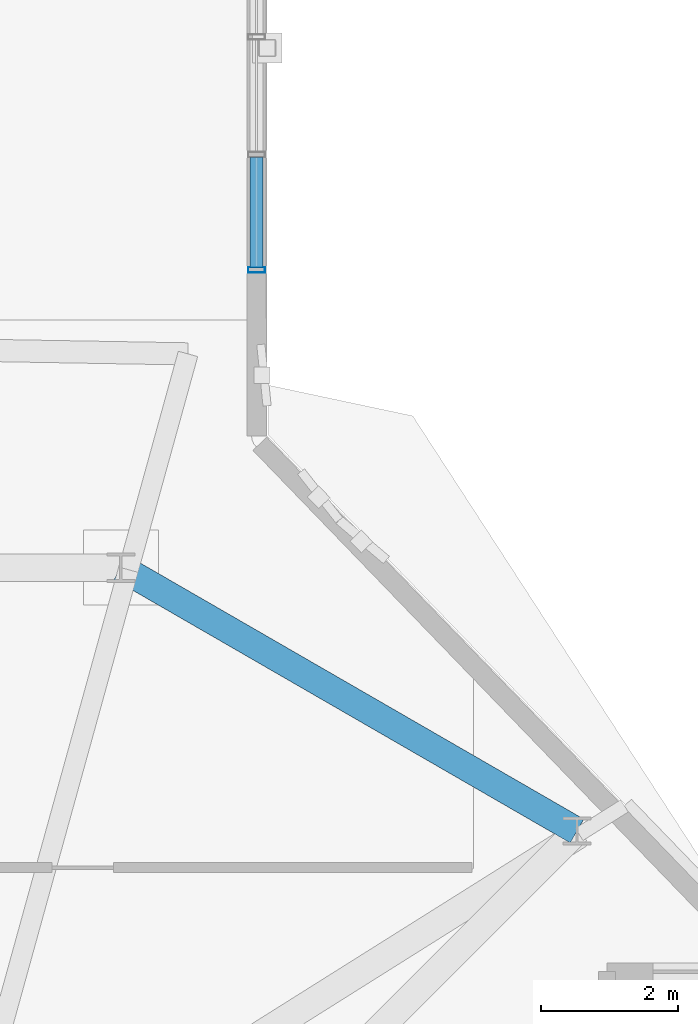
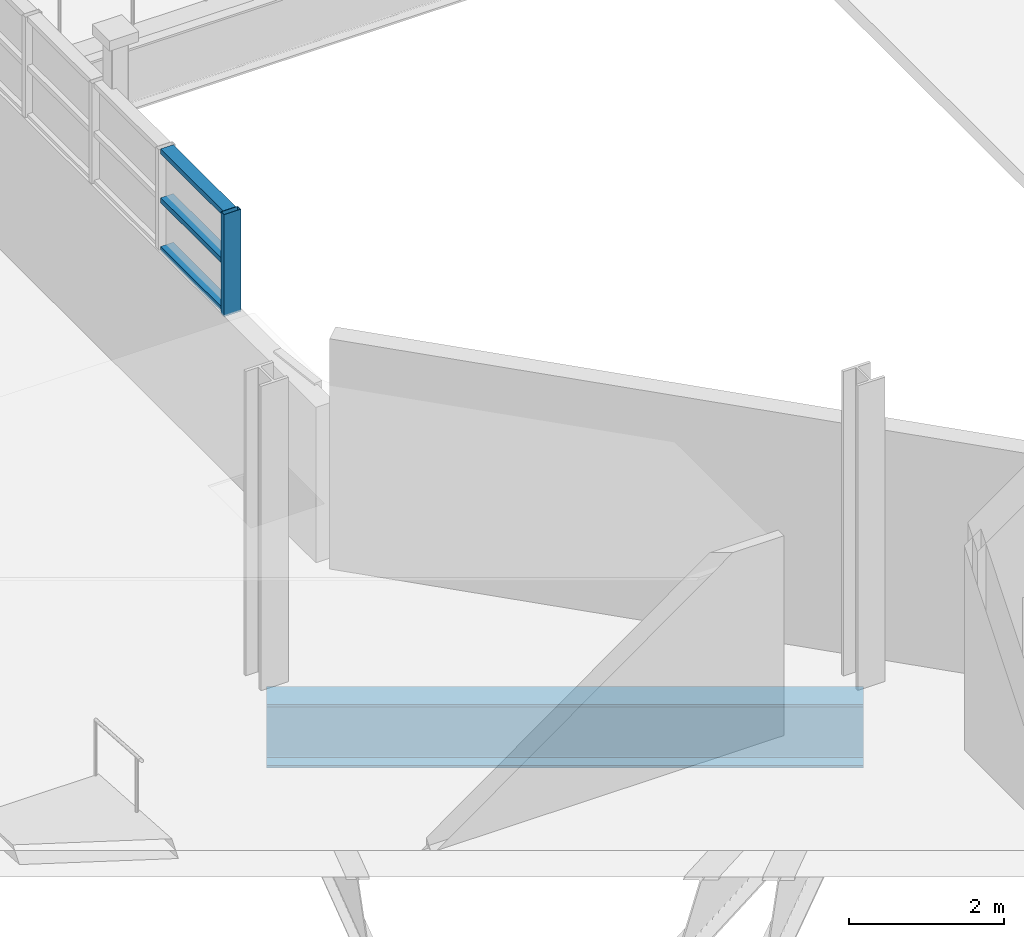
# One storey, part 34 of 85: 4 members, 1 beam, 1 element without a shape of its own.
"""IFC4 building model written with IfcOpenShell, lengths in metres."""

from ifc_helpers import new_model, si_unit, direction, frame, origin, origin_2d, place, context, subcontext, project, spatial, hollow_rectangle, i_section, extrude, material, layer, layer_set, material_profile, profile_set, type_object, element, aggregate, save


model = new_model("IFC4")

# Units and contexts
model_context = context("Model", 3, precision=1e-05, world=origin(), true_north=direction((0.0, 1.0)))
body_context = subcontext(model_context, "Body", "Model", "MODEL_VIEW")
ifc_project = project(units=[si_unit("LENGTHUNIT", "METRE"), si_unit("AREAUNIT", "SQUARE_METRE"), si_unit("VOLUMEUNIT", "CUBIC_METRE"), si_unit("PLANEANGLEUNIT", "RADIAN"), si_unit("MASSUNIT", "GRAM", prefix="KILO"), si_unit("THERMODYNAMICTEMPERATUREUNIT", "KELVIN"), si_unit("POWERUNIT", "WATT")], contexts=[model_context])

# Site, building, storey
site_placement = place(None, origin())
site = spatial("IfcSite", under=ifc_project, at=site_placement, CompositionType="ELEMENT")
building_placement = place(site_placement, origin())
building = spatial("IfcBuilding", under=site, at=building_placement, Name="Zelmaris Science Centre", CompositionType="ELEMENT")
storey_placement = place(building_placement, frame((0.0, 0.0, 20.39990234375)))
storey = spatial("IfcBuildingStorey", under=building, at=storey_placement, Name="L04", CompositionType="ELEMENT", Elevation=20.39990234375)

# Curtain wall, members
ifc_material_1 = material(Name="Anodised architectural aluminium 6063-T6", Category="aluminium")
ifc_layer = layer(ifc_material_1, 0.18994140625, Name="Anodised architectural aluminium 6063-T6")
ifc_layer_set = layer_set([ifc_layer], Name="Anodised architectural aluminium 6063-T6")
curtain_wall_type = type_object("IfcCurtainWallType", Name="Curtain Wall CW-01", PredefinedType="USERDEFINED", material=ifc_layer_set)
curtain_wall_placement = place(storey_placement, origin())
curtain_wall = element("IfcCurtainWall", 1, at=curtain_wall_placement, inside=storey, type_object=curtain_wall_type, Name="L04 Clerestory curtain wall 349", ObjectType="GLAZED CURTAIN WALL", PredefinedType="USERDEFINED")
ifc_material_profile_1 = material_profile(ifc_material_1, hollow_rectangle(XDim=0.080078125, YDim=0.25, WallThickness=0.0048828125, at=origin_2d()), Name="ALU-MUL-80X250")
ifc_profile_set_1 = profile_set([ifc_material_profile_1], Name="Anodised architectural aluminium 6063-T6")
member_type_1 = type_object("IfcMemberType", Name="ALU-MUL-80X250", PredefinedType="MULLION", material=ifc_profile_set_1)
member_1_placement = place(storey_placement, frame((86.84521484375, 54.75244140625, 2.420166015625), z_axis=(0.0, 0.0, 1.0), x_axis=(0.000586430595, -0.99999982805, 0.0)))
member_1 = element("IfcMember", 2, at=member_1_placement, type_object=member_type_1, Name="CW-01 mullion 5", PredefinedType="MULLION", context=body_context, shape_type="SweptSolid", body=[
    extrude(hollow_rectangle(XDim=0.080078125, YDim=0.25, WallThickness=0.0048828125, at=origin_2d()), origin(), (0.0, 0.0, 1.0), 1.60986328125),
])
ifc_material_profile_2 = material_profile(ifc_material_1, hollow_rectangle(XDim=0.080078125, YDim=0.18994140625, WallThickness=0.00439453125, at=origin_2d()), Name="ALU-TRN-80X190")
ifc_profile_set_2 = profile_set([ifc_material_profile_2], Name="Anodised architectural aluminium 6063-T6")
member_type_2 = type_object("IfcMemberType", Name="ALU-TRN-80X190", PredefinedType="USERDEFINED", material=ifc_profile_set_2)
member_2_placement = place(storey_placement, frame((86.84423828125, 56.40234375, 2.4560546875), z_axis=(0.000605143611, -0.999999816901, 0.0), x_axis=(0.0, 0.0, 1.0)))
member_2 = element("IfcMember", 3, at=member_2_placement, type_object=member_type_2, Name="CW-01 transom 4.1", ObjectType="TRANSOM", PredefinedType="USERDEFINED", context=body_context, shape_type="SweptSolid", body=[
    extrude(hollow_rectangle(XDim=0.080078125, YDim=0.18994140625, WallThickness=0.00439453125, at=origin_2d()), origin(), (0.0, 0.0, 1.0), 1.61376953125),
])
member_3_placement = place(storey_placement, frame((86.84423828125, 56.40234375, 3.22509765625), z_axis=(0.000605143611, -0.999999816901, 0.0), x_axis=(0.0, 0.0, 1.0)))
member_3 = element("IfcMember", 4, at=member_3_placement, type_object=member_type_2, Name="CW-01 transom 4.2", ObjectType="TRANSOM", PredefinedType="USERDEFINED", context=body_context, shape_type="SweptSolid", body=[
    extrude(hollow_rectangle(XDim=0.080078125, YDim=0.18994140625, WallThickness=0.00439453125, at=origin_2d()), origin(), (0.0, 0.0, 1.0), 1.61376953125),
])
member_4_placement = place(storey_placement, frame((86.84423828125, 56.40234375, 3.994140625), z_axis=(0.000605143611, -0.999999816901, 0.0), x_axis=(0.0, 0.0, 1.0)))
member_4 = element("IfcMember", 5, at=member_4_placement, type_object=member_type_2, Name="CW-01 transom 4.3", ObjectType="TRANSOM", PredefinedType="USERDEFINED", context=body_context, shape_type="SweptSolid", body=[
    extrude(hollow_rectangle(XDim=0.080078125, YDim=0.18994140625, WallThickness=0.00439453125, at=origin_2d()), origin(), (0.0, 0.0, 1.0), 1.61376953125),
])
aggregate(curtain_wall, [member_1, member_2, member_3, member_4])

# Beam
ifc_material_2 = material(Name="Steel ASTM A992 Grade 50", Category="steel")
ifc_material_profile_3 = material_profile(ifc_material_2, i_section(OverallWidth=0.40087890625, OverallDepth=1.0009765625, WebThickness=0.01904296875, FlangeThickness=0.0361328125, FilletRadius=0.02490234375, at=origin_2d()), Name="W40X249")
ifc_profile_set_3 = profile_set([ifc_material_profile_3], Name="Steel ASTM A992 Grade 50")
beam_type = type_object("IfcBeamType", Name="Beam G-22 W40X249", PredefinedType="BEAM", material=ifc_profile_set_3)
beam_placement = place(storey_placement, frame((91.535888671875, 46.535888671875, -0.780517578125), z_axis=(-0.866021648359, 0.500006504531, 0.0), x_axis=(-0.500006504531, -0.866021648359, 0.0)))
element("IfcBeam", 6, at=beam_placement, inside=storey, type_object=beam_type, Name="L04 Exhibition inner ring girder 2", PredefinedType="BEAM", context=body_context, shape_type="SweptSolid", body=[
    extrude(i_section(OverallWidth=0.40087890625, OverallDepth=1.0009765625, WebThickness=0.01904296875, FlangeThickness=0.0361328125, FilletRadius=0.02490234375, at=origin_2d()), origin(), (0.0, 0.0, 1.0), 7.712890625),
])

save(model, "model.ifc")
